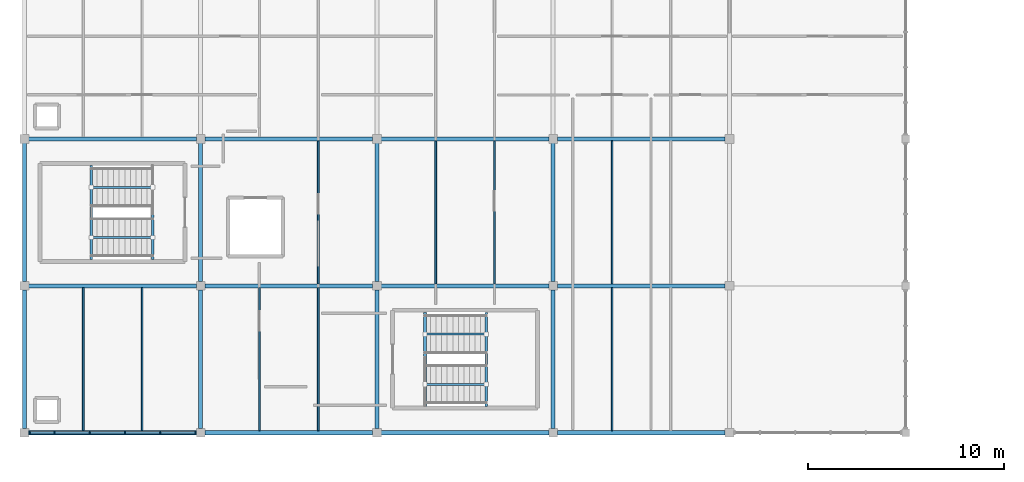
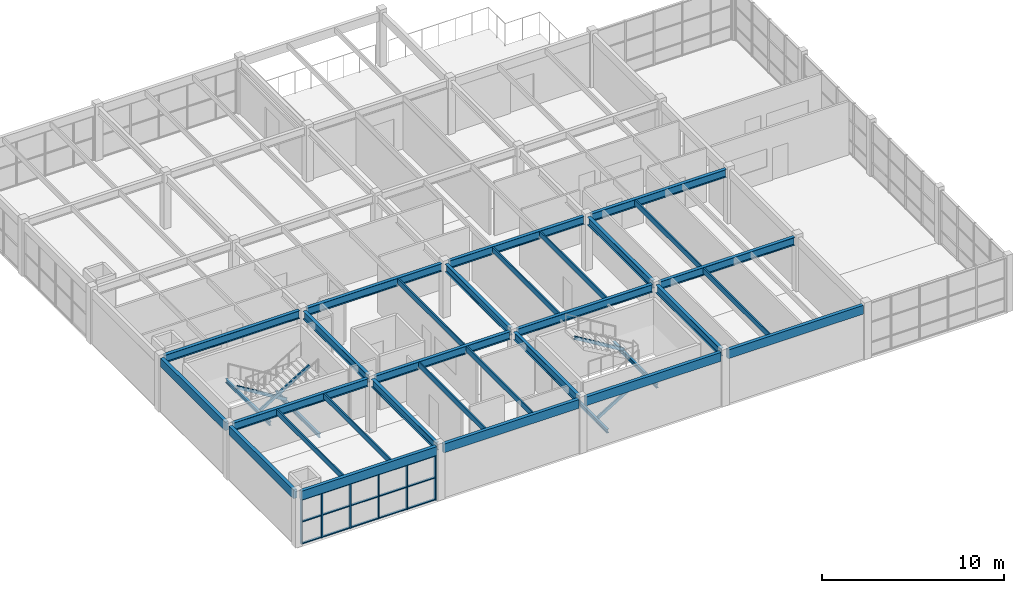
# One storey, part 3 of 45: 33 beams, 25 members, 1 element without a shape of its own.
"""IFC4 building model written with IfcOpenShell, lengths in metres."""

from ifc_helpers import new_model, si_unit, direction, frame, origin, origin_2d, place, context, subcontext, project, spatial, rectangle, hollow_rectangle, i_section, extrude, material, layer, layer_set, material_profile, profile_set, type_object, element, aggregate, save


model = new_model("IFC4")

# Units and contexts
model_context = context("Model", 3, precision=1e-05, world=origin(), true_north=direction((0.0, 1.0)))
body_context = subcontext(model_context, "Body", "Model", "MODEL_VIEW")
ifc_project = project(units=[si_unit("LENGTHUNIT", "METRE"), si_unit("AREAUNIT", "SQUARE_METRE"), si_unit("VOLUMEUNIT", "CUBIC_METRE"), si_unit("PLANEANGLEUNIT", "RADIAN"), si_unit("MASSUNIT", "GRAM", prefix="KILO")], contexts=[model_context])

# Site, building, storey
site_placement = place(None, origin())
site = spatial("IfcSite", under=ifc_project, at=site_placement, CompositionType="ELEMENT")
building_placement = place(site_placement, origin())
building = spatial("IfcBuilding", under=site, at=building_placement, Name="Marnridge Secondary College", CompositionType="ELEMENT")
storey_placement = place(building_placement, frame((0.0, 0.0, 12.300048828125)))
storey = spatial("IfcBuildingStorey", under=building, at=storey_placement, Name="L03", CompositionType="ELEMENT", Elevation=12.300048828125)

# Beams
ifc_material_1 = material(Name="Glulam timber GL18", Category="wood")
ifc_material_profile_1 = material_profile(ifc_material_1, rectangle(XDim=0.215087890625, YDim=0.5849609375, at=origin_2d()), Name="GL18 215x585")
ifc_profile_set_1 = profile_set([ifc_material_profile_1], Name="Glulam timber GL18")
beam_type_1 = type_object("IfcBeamType", Name="BM-GL585-EXT", PredefinedType="SPANDREL", material=ifc_profile_set_1)
beam_1_placement = place(storey_placement, frame((0.218994140625, 0.0, 3.29736328125), z_axis=(1.0, 0.0, 0.0), x_axis=(0.0, 1.0, 0.0)))
element("IfcBeam", 1, at=beam_1_placement, inside=storey, type_object=beam_type_1, Name="Beam BS-L03-1109", PredefinedType="SPANDREL", context=body_context, shape_type="SweptSolid", body=[
    extrude(rectangle(XDim=0.215087890625, YDim=0.5849609375, at=origin_2d()), origin(), (0.0, 0.0, 1.0), 8.56201171875),
])
for number, where, z_axis, x_axis, name in (
    (2, (0.0, 0.218994140625, 3.29736328125), (0.0, 1.0, 0.0), (-1.0, 0.0, 0.0), "Beam BS-L03-1111"),
    (3, (0.0, 7.718994140625, 3.29736328125), (0.0, 1.0, 0.0), (-1.0, 0.0, 0.0), "Beam BS-L03-1114"),
):
    element("IfcBeam", number, at=place(storey_placement, frame(where, z_axis=z_axis, x_axis=x_axis)), inside=storey, type_object=beam_type_1, Name=name, PredefinedType="SPANDREL", context=body_context, shape_type="SweptSolid", body=[
        extrude(rectangle(XDim=0.215087890625, YDim=0.5849609375, at=origin_2d()), origin(), (0.0, 0.0, 1.0), 7.06201171875),
    ])
for number, where, z_axis, x_axis, name in (
    (4, (9.218994140625, 0.0, 3.29736328125), (1.0, 0.0, 0.0), (0.0, 1.0, 0.0), "Beam BS-L03-1122"),
    (5, (18.218994140625, 0.0, 3.29736328125), (1.0, 0.0, 0.0), (0.0, 1.0, 0.0), "Beam BS-L03-1131"),
    (6, (27.218994140625, 0.0, 3.29736328125), (1.0, 0.0, 0.0), (0.0, 1.0, 0.0), "Beam BS-L03-1140"),
):
    element("IfcBeam", number, at=place(storey_placement, frame(where, z_axis=z_axis, x_axis=x_axis)), inside=storey, type_object=beam_type_1, Name=name, PredefinedType="SPANDREL", context=body_context, shape_type="SweptSolid", body=[
        extrude(rectangle(XDim=0.215087890625, YDim=0.5849609375, at=origin_2d()), origin(), (0.0, 0.0, 1.0), 8.56201171875),
    ])
ifc_material_2 = material(Name="Engineered timber LVL E13.2", Category="wood")
ifc_material_profile_2 = material_profile(ifc_material_2, rectangle(XDim=0.090087890625, YDim=0.360107421875, at=origin_2d()), Name="LVL 90x360")
ifc_profile_set_2 = profile_set([ifc_material_profile_2], Name="Engineered timber LVL E13.2")
beam_type_2 = type_object("IfcBeamType", Name="BM-LVL360-INT", PredefinedType="JOIST", material=ifc_profile_set_2)
for number, where, z_axis, x_axis, name in (
    (7, (3.0, 0.1015625, 3.409912109375), (0.0, 1.0, 0.0), (-1.0, 0.0, 0.0), "Beam BJ-L03-1156"),
    (8, (6.0, 0.1015625, 3.409912109375), (0.0, 1.0, 0.0), (-1.0, 0.0, 0.0), "Beam BJ-L03-1157"),
    (9, (12.0, 0.1015625, 3.409912109375), (0.0, 1.0, 0.0), (-1.0, 0.0, 0.0), "Beam BJ-L03-1162"),
    (10, (15.0, 0.1015625, 3.409912109375), (0.0, 1.0, 0.0), (-1.0, 0.0, 0.0), "Beam BJ-L03-1163"),
):
    element("IfcBeam", number, at=place(storey_placement, frame(where, z_axis=z_axis, x_axis=x_axis)), inside=storey, type_object=beam_type_2, Name=name, PredefinedType="JOIST", context=body_context, shape_type="SweptSolid", body=[
        extrude(rectangle(XDim=0.090087890625, YDim=0.360107421875, at=origin_2d()), origin(), (0.0, 0.0, 1.0), 7.300048828125),
    ])
for number, where, z_axis, x_axis, name in (
    (11, (15.0, 7.598388671875, 3.409912109375), (0.0, 1.0, 0.0), (-1.0, 0.0, 0.0), "Beam BJ-L03-1164"),
    (12, (21.0, 7.598388671875, 3.409912109375), (0.0, 1.0, 0.0), (-1.0, 0.0, 0.0), "Beam BJ-L03-1169"),
    (13, (24.0, 7.598388671875, 3.409912109375), (0.0, 1.0, 0.0), (-1.0, 0.0, 0.0), "Beam BJ-L03-1170"),
):
    element("IfcBeam", number, at=place(storey_placement, frame(where, z_axis=z_axis, x_axis=x_axis)), inside=storey, type_object=beam_type_2, Name=name, PredefinedType="JOIST", context=body_context, shape_type="SweptSolid", body=[
        extrude(rectangle(XDim=0.090087890625, YDim=0.360107421875, at=origin_2d()), origin(), (0.0, 0.0, 1.0), 7.30322265625),
    ])
beam_2_placement = place(storey_placement, frame((30.0, 0.1015625, 3.409912109375), z_axis=(0.0, 1.0, 0.0), x_axis=(-1.0, 0.0, 0.0)))
element("IfcBeam", 14, at=beam_2_placement, inside=storey, type_object=beam_type_2, Name="Beam BJ-L03-1175", PredefinedType="JOIST", context=body_context, shape_type="SweptSolid", body=[
    extrude(rectangle(XDim=0.090087890625, YDim=0.360107421875, at=origin_2d()), origin(), (0.0, 0.0, 1.0), 7.300048828125),
])
beam_3_placement = place(storey_placement, frame((30.0, 7.598388671875, 3.409912109375), z_axis=(0.0, 1.0, 0.0), x_axis=(-1.0, 0.0, 0.0)))
element("IfcBeam", 15, at=beam_3_placement, inside=storey, type_object=beam_type_2, Name="Beam BJ-L03-1177", PredefinedType="JOIST", context=body_context, shape_type="SweptSolid", body=[
    extrude(rectangle(XDim=0.090087890625, YDim=0.360107421875, at=origin_2d()), origin(), (0.0, 0.0, 1.0), 7.30322265625),
])
ifc_material_3 = material(Name="Structural steel Grade 350 (AS/NZS 3679.1/.2, fy = 340-360 MPa)", Category="steel")
ifc_material_profile_3 = material_profile(ifc_material_3, i_section(OverallWidth=0.146240234375, OverallDepth=0.256103515625, WebThickness=0.00634765625, FlangeThickness=0.010986328125, FilletRadius=0.0087890625, at=origin_2d()), Name="250UB37.3")
ifc_profile_set_3 = profile_set([ifc_material_profile_3], Name="Structural steel Grade 350 (AS/NZS 3679.1/.2, fy = 340-360 MPa)")
beam_type_3 = type_object("IfcBeamType", Name="BM-UB250-EXT", PredefinedType="LINTEL", material=ifc_profile_set_3)
for number, where, z_axis, x_axis, name in (
    (16, (6.550048828125, 8.842041015625, -0.338134765625), (0.0, 1.0, 0.0), (-1.0, 0.0, 0.0), "Stair landing trimmer beam BT-L03-026"),
    (17, (3.4150390625, 8.842041015625, 1.57177734375), (0.0, 1.0, 0.0), (-1.0, 0.0, 0.0), "Stair landing trimmer beam BT-L03-027"),
    (18, (20.449951171875, 1.342041015625, -0.338134765625), (0.0, 1.0, 0.0), (-1.0, 0.0, 0.0), "Stair landing trimmer beam BT-L03-034"),
    (19, (23.5849609375, 1.342041015625, 1.57177734375), (0.0, 1.0, 0.0), (-1.0, 0.0, 0.0), "Stair landing trimmer beam BT-L03-035"),
):
    element("IfcBeam", number, at=place(storey_placement, frame(where, z_axis=z_axis, x_axis=x_axis)), inside=storey, type_object=beam_type_3, Name=name, PredefinedType="LINTEL", context=body_context, shape_type="SweptSolid", body=[
        extrude(i_section(OverallWidth=0.146240234375, OverallDepth=0.256103515625, WebThickness=0.00634765625, FlangeThickness=0.010986328125, FilletRadius=0.0087890625, at=origin_2d()), origin(), (0.0, 0.0, 1.0), 4.802978515625),
    ])
ifc_material_4 = material(Name="Structural steel Grade 350 (AS/NZS 3679.1/.2, fy = 340-360 MPa)", Category="steel")
ifc_material_profile_4 = material_profile(ifc_material_4, i_section(OverallWidth=0.208740234375, OverallDepth=0.5283203125, WebThickness=0.009521484375, FlangeThickness=0.01318359375, FilletRadius=0.013916015625, at=origin_2d()), Name="530UB82.0")
ifc_profile_set_4 = profile_set([ifc_material_profile_4], Name="Structural steel Grade 350 (AS/NZS 3679.1/.2, fy = 340-360 MPa)")
beam_type_4 = type_object("IfcBeamType", Name="BM-UB530-INT", PredefinedType="BEAM", material=ifc_profile_set_4)
beam_4_placement = place(storey_placement, frame((0.218994140625, 7.5, 3.32568359375), z_axis=(1.0, 0.0, 0.0), x_axis=(0.0, 1.0, 0.0)))
element("IfcBeam", 20, at=beam_4_placement, inside=storey, type_object=beam_type_4, Name="Beam B-L03-1110", PredefinedType="BEAM", context=body_context, shape_type="SweptSolid", body=[
    extrude(i_section(OverallWidth=0.208740234375, OverallDepth=0.5283203125, WebThickness=0.009521484375, FlangeThickness=0.01318359375, FilletRadius=0.013916015625, at=origin_2d()), origin(), (0.0, 0.0, 1.0), 8.56201171875),
])
beam_5_placement = place(storey_placement, frame((9.0, 0.218994140625, 3.32568359375), z_axis=(0.0, 1.0, 0.0), x_axis=(-1.0, 0.0, 0.0)))
element("IfcBeam", 21, at=beam_5_placement, inside=storey, type_object=beam_type_4, Name="Beam B-L03-1112", PredefinedType="BEAM", context=body_context, shape_type="SweptSolid", body=[
    extrude(i_section(OverallWidth=0.208740234375, OverallDepth=0.5283203125, WebThickness=0.009521484375, FlangeThickness=0.01318359375, FilletRadius=0.013916015625, at=origin_2d()), origin(), (0.0, 0.0, 1.0), 7.06201171875),
])
beam_6_placement = place(storey_placement, frame((0.218994140625, 15.0, 3.32568359375), z_axis=(1.0, 0.0, 0.0), x_axis=(0.0, 1.0, 0.0)))
element("IfcBeam", 22, at=beam_6_placement, inside=storey, type_object=beam_type_4, Name="Beam B-L03-1113", PredefinedType="BEAM", context=body_context, shape_type="SweptSolid", body=[
    extrude(i_section(OverallWidth=0.208740234375, OverallDepth=0.5283203125, WebThickness=0.009521484375, FlangeThickness=0.01318359375, FilletRadius=0.013916015625, at=origin_2d()), origin(), (0.0, 0.0, 1.0), 8.56201171875),
])
beam_7_placement = place(storey_placement, frame((9.0, 7.718994140625, 3.32568359375), z_axis=(0.0, 1.0, 0.0), x_axis=(-1.0, 0.0, 0.0)))
element("IfcBeam", 23, at=beam_7_placement, inside=storey, type_object=beam_type_4, Name="Beam B-L03-1115", PredefinedType="BEAM", context=body_context, shape_type="SweptSolid", body=[
    extrude(i_section(OverallWidth=0.208740234375, OverallDepth=0.5283203125, WebThickness=0.009521484375, FlangeThickness=0.01318359375, FilletRadius=0.013916015625, at=origin_2d()), origin(), (0.0, 0.0, 1.0), 7.06201171875),
])
beam_8_placement = place(storey_placement, frame((9.218994140625, 7.5, 3.32568359375), z_axis=(1.0, 0.0, 0.0), x_axis=(0.0, 1.0, 0.0)))
element("IfcBeam", 24, at=beam_8_placement, inside=storey, type_object=beam_type_4, Name="Beam B-L03-1123", PredefinedType="BEAM", context=body_context, shape_type="SweptSolid", body=[
    extrude(i_section(OverallWidth=0.208740234375, OverallDepth=0.5283203125, WebThickness=0.009521484375, FlangeThickness=0.01318359375, FilletRadius=0.013916015625, at=origin_2d()), origin(), (0.0, 0.0, 1.0), 8.56201171875),
])
beam_9_placement = place(storey_placement, frame((18.0, 0.218994140625, 3.32568359375), z_axis=(0.0, 1.0, 0.0), x_axis=(-1.0, 0.0, 0.0)))
element("IfcBeam", 25, at=beam_9_placement, inside=storey, type_object=beam_type_4, Name="Beam B-L03-1124", PredefinedType="BEAM", context=body_context, shape_type="SweptSolid", body=[
    extrude(i_section(OverallWidth=0.208740234375, OverallDepth=0.5283203125, WebThickness=0.009521484375, FlangeThickness=0.01318359375, FilletRadius=0.013916015625, at=origin_2d()), origin(), (0.0, 0.0, 1.0), 7.06201171875),
])
beam_10_placement = place(storey_placement, frame((9.218994140625, 15.0, 3.32568359375), z_axis=(1.0, 0.0, 0.0), x_axis=(0.0, 1.0, 0.0)))
element("IfcBeam", 26, at=beam_10_placement, inside=storey, type_object=beam_type_4, Name="Beam B-L03-1125", PredefinedType="BEAM", context=body_context, shape_type="SweptSolid", body=[
    extrude(i_section(OverallWidth=0.208740234375, OverallDepth=0.5283203125, WebThickness=0.009521484375, FlangeThickness=0.01318359375, FilletRadius=0.013916015625, at=origin_2d()), origin(), (0.0, 0.0, 1.0), 8.56201171875),
])
beam_11_placement = place(storey_placement, frame((18.0, 7.718994140625, 3.32568359375), z_axis=(0.0, 1.0, 0.0), x_axis=(-1.0, 0.0, 0.0)))
element("IfcBeam", 27, at=beam_11_placement, inside=storey, type_object=beam_type_4, Name="Beam B-L03-1126", PredefinedType="BEAM", context=body_context, shape_type="SweptSolid", body=[
    extrude(i_section(OverallWidth=0.208740234375, OverallDepth=0.5283203125, WebThickness=0.009521484375, FlangeThickness=0.01318359375, FilletRadius=0.013916015625, at=origin_2d()), origin(), (0.0, 0.0, 1.0), 7.06201171875),
])
beam_12_placement = place(storey_placement, frame((18.218994140625, 7.5, 3.32568359375), z_axis=(1.0, 0.0, 0.0), x_axis=(0.0, 1.0, 0.0)))
element("IfcBeam", 28, at=beam_12_placement, inside=storey, type_object=beam_type_4, Name="Beam B-L03-1132", PredefinedType="BEAM", context=body_context, shape_type="SweptSolid", body=[
    extrude(i_section(OverallWidth=0.208740234375, OverallDepth=0.5283203125, WebThickness=0.009521484375, FlangeThickness=0.01318359375, FilletRadius=0.013916015625, at=origin_2d()), origin(), (0.0, 0.0, 1.0), 8.56201171875),
])
beam_13_placement = place(storey_placement, frame((27.0, 0.218994140625, 3.32568359375), z_axis=(0.0, 1.0, 0.0), x_axis=(-1.0, 0.0, 0.0)))
element("IfcBeam", 29, at=beam_13_placement, inside=storey, type_object=beam_type_4, Name="Beam B-L03-1133", PredefinedType="BEAM", context=body_context, shape_type="SweptSolid", body=[
    extrude(i_section(OverallWidth=0.208740234375, OverallDepth=0.5283203125, WebThickness=0.009521484375, FlangeThickness=0.01318359375, FilletRadius=0.013916015625, at=origin_2d()), origin(), (0.0, 0.0, 1.0), 7.06201171875),
])
beam_14_placement = place(storey_placement, frame((18.218994140625, 15.0, 3.32568359375), z_axis=(1.0, 0.0, 0.0), x_axis=(0.0, 1.0, 0.0)))
element("IfcBeam", 30, at=beam_14_placement, inside=storey, type_object=beam_type_4, Name="Beam B-L03-1134", PredefinedType="BEAM", context=body_context, shape_type="SweptSolid", body=[
    extrude(i_section(OverallWidth=0.208740234375, OverallDepth=0.5283203125, WebThickness=0.009521484375, FlangeThickness=0.01318359375, FilletRadius=0.013916015625, at=origin_2d()), origin(), (0.0, 0.0, 1.0), 8.56201171875),
])
beam_15_placement = place(storey_placement, frame((27.0, 7.718994140625, 3.32568359375), z_axis=(0.0, 1.0, 0.0), x_axis=(-1.0, 0.0, 0.0)))
element("IfcBeam", 31, at=beam_15_placement, inside=storey, type_object=beam_type_4, Name="Beam B-L03-1135", PredefinedType="BEAM", context=body_context, shape_type="SweptSolid", body=[
    extrude(i_section(OverallWidth=0.208740234375, OverallDepth=0.5283203125, WebThickness=0.009521484375, FlangeThickness=0.01318359375, FilletRadius=0.013916015625, at=origin_2d()), origin(), (0.0, 0.0, 1.0), 7.06201171875),
])
for number, where, z_axis, x_axis, name in (
    (32, (27.218994140625, 7.5, 3.32568359375), (1.0, 0.0, 0.0), (0.0, 1.0, 0.0), "Beam B-L03-1141"),
    (33, (27.218994140625, 15.0, 3.32568359375), (1.0, 0.0, 0.0), (0.0, 1.0, 0.0), "Beam B-L03-1143"),
):
    element("IfcBeam", number, at=place(storey_placement, frame(where, z_axis=z_axis, x_axis=x_axis)), inside=storey, type_object=beam_type_4, Name=name, PredefinedType="BEAM", context=body_context, shape_type="SweptSolid", body=[
        extrude(i_section(OverallWidth=0.208740234375, OverallDepth=0.5283203125, WebThickness=0.009521484375, FlangeThickness=0.01318359375, FilletRadius=0.013916015625, at=origin_2d()), origin(), (0.0, 0.0, 1.0), 8.56201171875),
    ])

# Curtain wall, members
ifc_material_5 = material(Name="Bronze-anodised aluminium and solar-control glazing", Category="aluminium")
ifc_layer = layer(ifc_material_5, 0.199951171875)
ifc_layer_set = layer_set([ifc_layer], Name="CW-MOD-1800")
curtain_wall_type = type_object("IfcCurtainWallType", Name="CW-MOD-1800", PredefinedType="NOTDEFINED", material=ifc_layer_set)
curtain_wall_placement = place(storey_placement, origin())
curtain_wall = element("IfcCurtainWall", 34, at=curtain_wall_placement, inside=storey, type_object=curtain_wall_type, Name="Unitised curtain wall CW-L03-135", PredefinedType="NOTDEFINED")
ifc_material_6 = material(Name="Bronze-anodised aluminium 6063-T6", Category="aluminium")
ifc_material_profile_5 = material_profile(ifc_material_6, rectangle(XDim=0.070068359375, YDim=0.199951171875, at=origin_2d()), Name="ALU 70x200")
ifc_profile_set_5 = profile_set([ifc_material_profile_5], Name="Bronze-anodised aluminium 6063-T6")
member_type_1 = type_object("IfcMemberType", Name="CWM-ALU200", PredefinedType="MULLION", material=ifc_profile_set_5)
member_1_placement = place(storey_placement, frame((8.736083984375, 0.0, 0.0), z_axis=(0.0, 0.0, 1.0), x_axis=(-1.0, 0.0, 0.0)))
member_1 = element("IfcMember", 35, at=member_1_placement, type_object=member_type_1, Name="CW-L03-135 mullion 1", PredefinedType="MULLION", context=body_context, shape_type="SweptSolid", body=[
    extrude(rectangle(XDim=0.070068359375, YDim=0.199951171875, at=origin_2d()), origin(), (0.0, 0.0, 1.0), 2.9970703125),
])
member_2_placement = place(storey_placement, frame((6.93603515625, 0.0, 0.0), z_axis=(0.0, 0.0, 1.0), x_axis=(-1.0, 0.0, 0.0)))
member_2 = element("IfcMember", 36, at=member_2_placement, type_object=member_type_1, Name="CW-L03-135 mullion 2", PredefinedType="MULLION", context=body_context, shape_type="SweptSolid", body=[
    extrude(rectangle(XDim=0.070068359375, YDim=0.199951171875, at=origin_2d()), origin(), (0.0, 0.0, 1.0), 2.9970703125),
])
member_3_placement = place(storey_placement, frame((5.135986328125, 0.0, 0.0), z_axis=(0.0, 0.0, 1.0), x_axis=(-1.0, 0.0, 0.0)))
member_3 = element("IfcMember", 37, at=member_3_placement, type_object=member_type_1, Name="CW-L03-135 mullion 3", PredefinedType="MULLION", context=body_context, shape_type="SweptSolid", body=[
    extrude(rectangle(XDim=0.070068359375, YDim=0.199951171875, at=origin_2d()), origin(), (0.0, 0.0, 1.0), 2.9970703125),
])
member_4_placement = place(storey_placement, frame((3.3359375, 0.0, 0.0), z_axis=(0.0, 0.0, 1.0), x_axis=(-1.0, 0.0, 0.0)))
member_4 = element("IfcMember", 38, at=member_4_placement, type_object=member_type_1, Name="CW-L03-135 mullion 4", PredefinedType="MULLION", context=body_context, shape_type="SweptSolid", body=[
    extrude(rectangle(XDim=0.070068359375, YDim=0.199951171875, at=origin_2d()), origin(), (0.0, 0.0, 1.0), 2.9970703125),
])
member_5_placement = place(storey_placement, frame((1.535888671875, 0.0, 0.0), z_axis=(0.0, 0.0, 1.0), x_axis=(-1.0, 0.0, 0.0)))
member_5 = element("IfcMember", 39, at=member_5_placement, type_object=member_type_1, Name="CW-L03-135 mullion 5", PredefinedType="MULLION", context=body_context, shape_type="SweptSolid", body=[
    extrude(rectangle(XDim=0.070068359375, YDim=0.199951171875, at=origin_2d()), origin(), (0.0, 0.0, 1.0), 2.9970703125),
])
member_6_placement = place(storey_placement, frame((0.263916015625, 0.0, 0.0), z_axis=(0.0, 0.0, 1.0), x_axis=(-1.0, 0.0, 0.0)))
member_6 = element("IfcMember", 40, at=member_6_placement, type_object=member_type_1, Name="CW-L03-135 mullion 6", PredefinedType="MULLION", context=body_context, shape_type="SweptSolid", body=[
    extrude(rectangle(XDim=0.070068359375, YDim=0.199951171875, at=origin_2d()), origin(), (0.0, 0.0, 1.0), 2.9970703125),
])
ifc_material_7 = material(Name="Anodised aluminium 6063-T6", Category="aluminium")
ifc_material_profile_6 = material_profile(ifc_material_7, rectangle(XDim=0.06494140625, YDim=0.139892578125, at=origin_2d()), Name="ALU 65x140")
ifc_profile_set_6 = profile_set([ifc_material_profile_6], Name="Anodised aluminium 6063-T6")
member_type_2 = type_object("IfcMemberType", Name="CWT-ALU140", PredefinedType="USERDEFINED", material=ifc_profile_set_6)
member_7_placement = place(storey_placement, frame((8.700927734375, 0.0, 0.032470703125), z_axis=(-1.0, 0.0, 0.0), x_axis=(0.0, 0.0, 1.0)))
member_7 = element("IfcMember", 41, at=member_7_placement, type_object=member_type_2, Name="CW-L03-135 transom 1.1", ObjectType="TRANSOM", PredefinedType="USERDEFINED", context=body_context, shape_type="SweptSolid", body=[
    extrude(rectangle(XDim=0.06494140625, YDim=0.139892578125, at=origin_2d()), origin(), (0.0, 0.0, 1.0), 1.72998046875),
])
member_8_placement = place(storey_placement, frame((8.700927734375, 0.0, 1.4990234375), z_axis=(-1.0, 0.0, 0.0), x_axis=(0.0, 0.0, 1.0)))
member_8 = element("IfcMember", 42, at=member_8_placement, type_object=member_type_2, Name="CW-L03-135 transom 1.2", ObjectType="TRANSOM", PredefinedType="USERDEFINED", context=body_context, shape_type="SweptSolid", body=[
    extrude(rectangle(XDim=0.06494140625, YDim=0.139892578125, at=origin_2d()), origin(), (0.0, 0.0, 1.0), 1.72998046875),
])
member_9_placement = place(storey_placement, frame((8.700927734375, 0.0, 2.96435546875), z_axis=(-1.0, 0.0, 0.0), x_axis=(0.0, 0.0, 1.0)))
member_9 = element("IfcMember", 43, at=member_9_placement, type_object=member_type_2, Name="CW-L03-135 transom 1.3", ObjectType="TRANSOM", PredefinedType="USERDEFINED", context=body_context, shape_type="SweptSolid", body=[
    extrude(rectangle(XDim=0.06494140625, YDim=0.139892578125, at=origin_2d()), origin(), (0.0, 0.0, 1.0), 1.72998046875),
])
member_10_placement = place(storey_placement, frame((6.90087890625, 0.0, 0.032470703125), z_axis=(-1.0, 0.0, 0.0), x_axis=(0.0, 0.0, 1.0)))
member_10 = element("IfcMember", 44, at=member_10_placement, type_object=member_type_2, Name="CW-L03-135 transom 2.1", ObjectType="TRANSOM", PredefinedType="USERDEFINED", context=body_context, shape_type="SweptSolid", body=[
    extrude(rectangle(XDim=0.06494140625, YDim=0.139892578125, at=origin_2d()), origin(), (0.0, 0.0, 1.0), 1.72998046875),
])
member_11_placement = place(storey_placement, frame((6.90087890625, 0.0, 1.4990234375), z_axis=(-1.0, 0.0, 0.0), x_axis=(0.0, 0.0, 1.0)))
member_11 = element("IfcMember", 45, at=member_11_placement, type_object=member_type_2, Name="CW-L03-135 transom 2.2", ObjectType="TRANSOM", PredefinedType="USERDEFINED", context=body_context, shape_type="SweptSolid", body=[
    extrude(rectangle(XDim=0.06494140625, YDim=0.139892578125, at=origin_2d()), origin(), (0.0, 0.0, 1.0), 1.72998046875),
])
member_12_placement = place(storey_placement, frame((6.90087890625, 0.0, 2.96435546875), z_axis=(-1.0, 0.0, 0.0), x_axis=(0.0, 0.0, 1.0)))
member_12 = element("IfcMember", 46, at=member_12_placement, type_object=member_type_2, Name="CW-L03-135 transom 2.3", ObjectType="TRANSOM", PredefinedType="USERDEFINED", context=body_context, shape_type="SweptSolid", body=[
    extrude(rectangle(XDim=0.06494140625, YDim=0.139892578125, at=origin_2d()), origin(), (0.0, 0.0, 1.0), 1.72998046875),
])
member_13_placement = place(storey_placement, frame((5.10107421875, 0.0, 0.032470703125), z_axis=(-1.0, 0.0, 0.0), x_axis=(0.0, 0.0, 1.0)))
member_13 = element("IfcMember", 47, at=member_13_placement, type_object=member_type_2, Name="CW-L03-135 transom 3.1", ObjectType="TRANSOM", PredefinedType="USERDEFINED", context=body_context, shape_type="SweptSolid", body=[
    extrude(rectangle(XDim=0.06494140625, YDim=0.139892578125, at=origin_2d()), origin(), (0.0, 0.0, 1.0), 1.72998046875),
])
member_14_placement = place(storey_placement, frame((5.10107421875, 0.0, 1.4990234375), z_axis=(-1.0, 0.0, 0.0), x_axis=(0.0, 0.0, 1.0)))
member_14 = element("IfcMember", 48, at=member_14_placement, type_object=member_type_2, Name="CW-L03-135 transom 3.2", ObjectType="TRANSOM", PredefinedType="USERDEFINED", context=body_context, shape_type="SweptSolid", body=[
    extrude(rectangle(XDim=0.06494140625, YDim=0.139892578125, at=origin_2d()), origin(), (0.0, 0.0, 1.0), 1.72998046875),
])
member_15_placement = place(storey_placement, frame((5.10107421875, 0.0, 2.96435546875), z_axis=(-1.0, 0.0, 0.0), x_axis=(0.0, 0.0, 1.0)))
member_15 = element("IfcMember", 49, at=member_15_placement, type_object=member_type_2, Name="CW-L03-135 transom 3.3", ObjectType="TRANSOM", PredefinedType="USERDEFINED", context=body_context, shape_type="SweptSolid", body=[
    extrude(rectangle(XDim=0.06494140625, YDim=0.139892578125, at=origin_2d()), origin(), (0.0, 0.0, 1.0), 1.72998046875),
])
member_16_placement = place(storey_placement, frame((3.301025390625, 0.0, 0.032470703125), z_axis=(-1.0, 0.0, 0.0), x_axis=(0.0, 0.0, 1.0)))
member_16 = element("IfcMember", 50, at=member_16_placement, type_object=member_type_2, Name="CW-L03-135 transom 4.1", ObjectType="TRANSOM", PredefinedType="USERDEFINED", context=body_context, shape_type="SweptSolid", body=[
    extrude(rectangle(XDim=0.06494140625, YDim=0.139892578125, at=origin_2d()), origin(), (0.0, 0.0, 1.0), 1.72998046875),
])
member_17_placement = place(storey_placement, frame((3.301025390625, 0.0, 1.4990234375), z_axis=(-1.0, 0.0, 0.0), x_axis=(0.0, 0.0, 1.0)))
member_17 = element("IfcMember", 51, at=member_17_placement, type_object=member_type_2, Name="CW-L03-135 transom 4.2", ObjectType="TRANSOM", PredefinedType="USERDEFINED", context=body_context, shape_type="SweptSolid", body=[
    extrude(rectangle(XDim=0.06494140625, YDim=0.139892578125, at=origin_2d()), origin(), (0.0, 0.0, 1.0), 1.72998046875),
])
member_18_placement = place(storey_placement, frame((3.301025390625, 0.0, 2.96435546875), z_axis=(-1.0, 0.0, 0.0), x_axis=(0.0, 0.0, 1.0)))
member_18 = element("IfcMember", 52, at=member_18_placement, type_object=member_type_2, Name="CW-L03-135 transom 4.3", ObjectType="TRANSOM", PredefinedType="USERDEFINED", context=body_context, shape_type="SweptSolid", body=[
    extrude(rectangle(XDim=0.06494140625, YDim=0.139892578125, at=origin_2d()), origin(), (0.0, 0.0, 1.0), 1.72998046875),
])
member_19_placement = place(storey_placement, frame((1.5009765625, 0.0, 0.032470703125), z_axis=(-1.0, 0.0, 0.0), x_axis=(0.0, 0.0, 1.0)))
member_19 = element("IfcMember", 53, at=member_19_placement, type_object=member_type_2, Name="CW-L03-135 transom 5.1", ObjectType="TRANSOM", PredefinedType="USERDEFINED", context=body_context, shape_type="SweptSolid", body=[
    extrude(rectangle(XDim=0.06494140625, YDim=0.139892578125, at=origin_2d()), origin(), (0.0, 0.0, 1.0), 1.201904296875),
])
member_20_placement = place(storey_placement, frame((1.5009765625, 0.0, 1.4990234375), z_axis=(-1.0, 0.0, 0.0), x_axis=(0.0, 0.0, 1.0)))
member_20 = element("IfcMember", 54, at=member_20_placement, type_object=member_type_2, Name="CW-L03-135 transom 5.2", ObjectType="TRANSOM", PredefinedType="USERDEFINED", context=body_context, shape_type="SweptSolid", body=[
    extrude(rectangle(XDim=0.06494140625, YDim=0.139892578125, at=origin_2d()), origin(), (0.0, 0.0, 1.0), 1.201904296875),
])
member_21_placement = place(storey_placement, frame((1.5009765625, 0.0, 2.96435546875), z_axis=(-1.0, 0.0, 0.0), x_axis=(0.0, 0.0, 1.0)))
member_21 = element("IfcMember", 55, at=member_21_placement, type_object=member_type_2, Name="CW-L03-135 transom 5.3", ObjectType="TRANSOM", PredefinedType="USERDEFINED", context=body_context, shape_type="SweptSolid", body=[
    extrude(rectangle(XDim=0.06494140625, YDim=0.139892578125, at=origin_2d()), origin(), (0.0, 0.0, 1.0), 1.201904296875),
])
aggregate(curtain_wall, [member_1, member_2, member_3, member_4, member_5, member_6, member_7, member_8, member_9, member_10, member_11, member_12, member_13, member_14, member_15, member_16, member_17, member_18, member_19, member_20, member_21])

# Members
ifc_material_8 = material(Name="Cold-formed steel Grade C350L0 (AS/NZS 1163, fy = 350 MPa)", Category="steel")
ifc_material_profile_7 = material_profile(ifc_material_8, hollow_rectangle(XDim=0.10009765625, YDim=0.199951171875, WallThickness=0.006103515625, at=origin_2d()), Name="200x100x6.0RHS")
ifc_profile_set_7 = profile_set([ifc_material_profile_7], Name="Cold-formed steel Grade C350L0 (AS/NZS 1163, fy = 350 MPa)")
member_type_3 = type_object("IfcMemberType", Name="MB-STR-RHS200", PredefinedType="STRINGER", material=ifc_profile_set_7)
member_22_placement = place(storey_placement, frame((6.550048828125, 12.530029296875, -0.1181640625), z_axis=(-0.853969884899, 0.0, 0.520322434347), x_axis=(0.0, -1.0, 0.0)))
element("IfcMember", 56, at=member_22_placement, inside=storey, type_object=member_type_3, Name="Stair stringer STR-027", PredefinedType="STRINGER", context=body_context, shape_type="SweptSolid", body=[
    extrude(hollow_rectangle(XDim=0.10009765625, YDim=0.199951171875, WallThickness=0.006103515625, at=origin_2d()), origin(), (0.0, 0.0, 1.0), 3.671142578125),
])
member_23_placement = place(storey_placement, frame((3.4150390625, 9.969970703125, 1.7919921875), z_axis=(0.856420037576, 0.0, 0.516279690902), x_axis=(0.0, 1.0, 0.0)))
element("IfcMember", 57, at=member_23_placement, inside=storey, type_object=member_type_3, Name="Stair stringer STR-028", PredefinedType="STRINGER", context=body_context, shape_type="SweptSolid", body=[
    extrude(hollow_rectangle(XDim=0.10009765625, YDim=0.199951171875, WallThickness=0.006103515625, at=origin_2d()), origin(), (0.0, 0.0, 1.0), 3.66064453125),
])
member_24_placement = place(storey_placement, frame((20.449951171875, 2.469970703125, -0.1181640625), z_axis=(0.853969884899, 0.0, 0.520322434347), x_axis=(0.0, 1.0, 0.0)))
element("IfcMember", 58, at=member_24_placement, inside=storey, type_object=member_type_3, Name="Stair stringer STR-035", PredefinedType="STRINGER", context=body_context, shape_type="SweptSolid", body=[
    extrude(hollow_rectangle(XDim=0.10009765625, YDim=0.199951171875, WallThickness=0.006103515625, at=origin_2d()), origin(), (0.0, 0.0, 1.0), 3.671142578125),
])
member_25_placement = place(storey_placement, frame((23.5849609375, 5.030029296875, 1.7919921875), z_axis=(-0.856420037576, 0.0, 0.516279690902), x_axis=(0.0, -1.0, 0.0)))
element("IfcMember", 59, at=member_25_placement, inside=storey, type_object=member_type_3, Name="Stair stringer STR-036", PredefinedType="STRINGER", context=body_context, shape_type="SweptSolid", body=[
    extrude(hollow_rectangle(XDim=0.10009765625, YDim=0.199951171875, WallThickness=0.006103515625, at=origin_2d()), origin(), (0.0, 0.0, 1.0), 3.66064453125),
])

save(model, "model.ifc")
